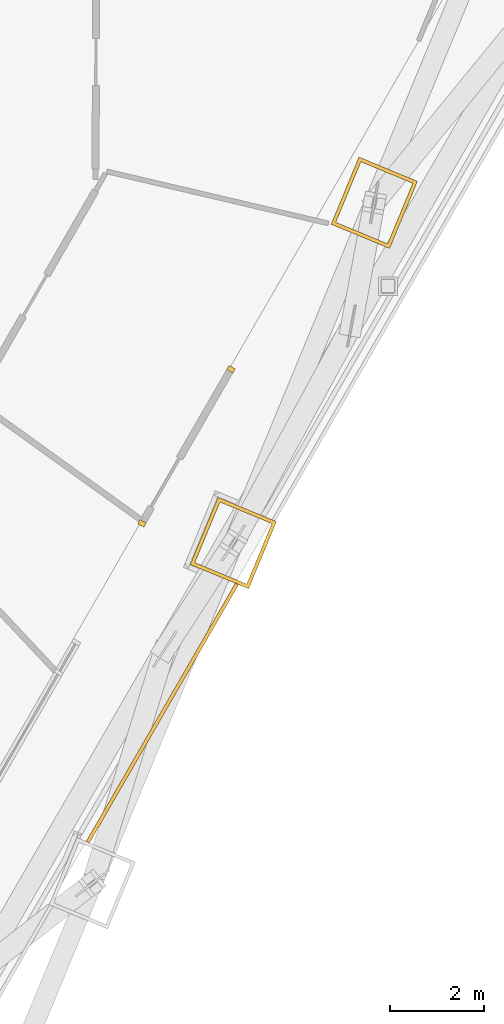
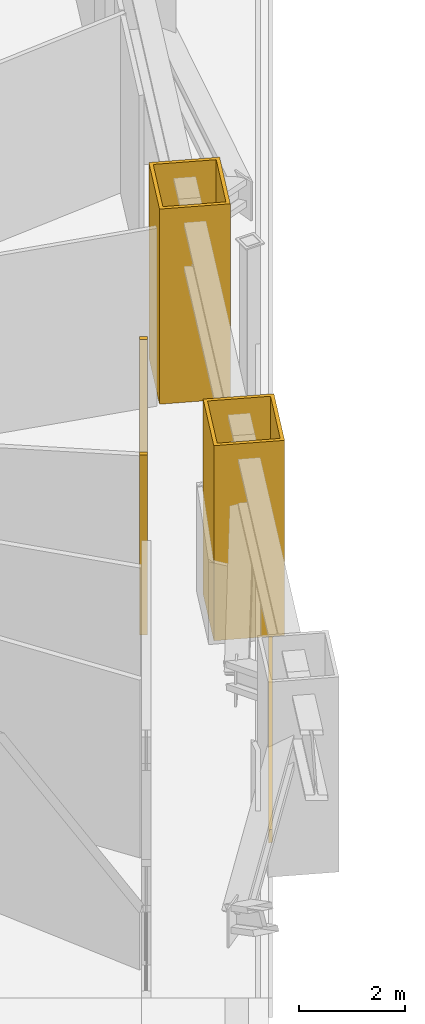
# One storey, part 22 of 28: 5 coverings.
"""IFC4 building model written with IfcOpenShell, lengths in metres."""

from ifc_helpers import new_model, si_unit, direction, frame, origin, place, context, subcontext, project, spatial, polyline, outline, extrude, material, layer, layer_set, type_object, element, save


model = new_model("IFC4")

# Units and contexts
model_context = context("Model", 3, precision=1e-05, world=origin(), true_north=direction((0.0, 1.0)))
body_context = subcontext(model_context, "Body", "Model", "MODEL_VIEW")
ifc_project = project(units=[si_unit("LENGTHUNIT", "METRE"), si_unit("AREAUNIT", "SQUARE_METRE"), si_unit("VOLUMEUNIT", "CUBIC_METRE"), si_unit("PLANEANGLEUNIT", "RADIAN"), si_unit("MASSUNIT", "GRAM", prefix="KILO")], contexts=[model_context])

# Site, building, storey
site_placement = place(None, origin())
site = spatial("IfcSite", under=ifc_project, at=site_placement, CompositionType="ELEMENT")
building_placement = place(site_placement, origin())
building = spatial("IfcBuilding", under=site, at=building_placement, Name="Trine Commons Tower", CompositionType="ELEMENT")
storey_placement = place(building_placement, frame((0.0, 0.0, 45.89990234375)))
storey = spatial("IfcBuildingStorey", under=building, at=storey_placement, Name="L10", CompositionType="ELEMENT", Elevation=45.89990234375)

# Coverings
ifc_material_1 = material(Name="Aluminium-framed insulated wall panel", Category="aluminium")
ifc_layer_1 = layer(ifc_material_1, 0.14990234375)
ifc_layer_set_1 = layer_set([ifc_layer_1], Name="Aluminium-framed insulated wall panel")
covering_type_1 = type_object("IfcCoveringType", Name="Glazing corner post, aluminium", PredefinedType="CLADDING", material=ifc_layer_set_1)
covering_1_placement = place(storey_placement, origin())
element("IfcCovering", 1, at=covering_1_placement, inside=storey, type_object=covering_type_1, Name="Entrance wall jamb post F2 7A", PredefinedType="CLADDING", context=body_context, shape_type="SweptSolid", body=[
    extrude(outline(polyline([(96.99169921875, 54.941162109375), (96.941650390625, 54.8544921875), (96.811767578125, 54.9296875), (96.86181640625, 55.01611328125), (96.99169921875, 54.941162109375)])), origin(), (0.0, 0.0, 1.0), 4.150146484375),
])
covering_2_placement = place(storey_placement, origin())
element("IfcCovering", 2, at=covering_2_placement, inside=storey, type_object=covering_type_1, Name="Entrance wall jamb post F2 7B", PredefinedType="CLADDING", context=body_context, shape_type="SweptSolid", body=[
    extrude(outline(polyline([(95.09228515625, 51.651123046875), (95.042236328125, 51.564697265625), (94.912353515625, 51.6396484375), (94.96240234375, 51.726318359375), (95.09228515625, 51.651123046875)])), origin(), (0.0, 0.0, 1.0), 4.150146484375),
])
ifc_material_2 = material(Name="Limestone, honed", Category="masonry")
ifc_layer_2 = layer(ifc_material_2, 0.074951171875)
ifc_layer_set_2 = layer_set([ifc_layer_2], Name="Limestone, honed")
covering_type_2 = type_object("IfcCoveringType", Name="Limestone column cladding 75", PredefinedType="CLADDING", material=ifc_layer_set_2)
covering_3_placement = place(storey_placement, origin())
element("IfcCovering", 3, at=covering_3_placement, inside=storey, type_object=covering_type_2, Name="Limestone pier cladding 2-20", PredefinedType="CLADDING", context=body_context, shape_type="SweptSolid", body=[
    extrude(outline(polyline([(100.88037109375, 58.944091796875), (99.63330078125, 59.460693359375), (99.0400390625, 58.028564453125), (100.287109375, 57.511962890625), (100.88037109375, 58.944091796875)]), holes=[polyline([(100.782470703125, 58.9033203125), (99.673828125, 59.362548828125), (99.137939453125, 58.069091796875), (100.24658203125, 57.610107421875), (100.782470703125, 58.9033203125)])]), origin(), (0.0, 0.0, 1.0), 4.5),
])
covering_4_placement = place(storey_placement, origin())
element("IfcCovering", 4, at=covering_4_placement, inside=storey, type_object=covering_type_2, Name="Limestone pier cladding 2-21", PredefinedType="CLADDING", context=body_context, shape_type="SweptSolid", body=[
    extrude(outline(polyline([(97.872314453125, 51.681884765625), (96.625, 52.198486328125), (96.031982421875, 50.766357421875), (97.279052734375, 50.249755859375), (97.872314453125, 51.681884765625)]), holes=[polyline([(97.7744140625, 51.64111328125), (96.665771484375, 52.100341796875), (96.1298828125, 50.806884765625), (97.238525390625, 50.347900390625), (97.7744140625, 51.64111328125)])]), origin(), (0.0, 0.0, 1.0), 4.5),
])
ifc_layer_3 = layer(ifc_material_2, 0.074951171875)
ifc_layer_set_3 = layer_set([ifc_layer_3], Name="Limestone, honed")
covering_type_3 = type_object("IfcCoveringType", Name="Limestone spandrel panel 75", PredefinedType="CLADDING", material=ifc_layer_set_3)
covering_5_placement = place(storey_placement, frame((0.0, 0.0, -0.2998046875)))
element("IfcCovering", 5, at=covering_5_placement, inside=storey, type_object=covering_type_3, Name="Limestone spandrel panel 1-04", PredefinedType="CLADDING", context=body_context, shape_type="SweptSolid", body=[
    extrude(outline(polyline([(93.8828125, 44.826416015625), (97.065185546875, 50.33837890625), (96.9951171875, 50.367431640625), (93.812744140625, 44.855224609375), (93.8828125, 44.826416015625)])), origin(), (0.0, 0.0, 1.0), 0.2998046875),
])

save(model, "model.ifc")
